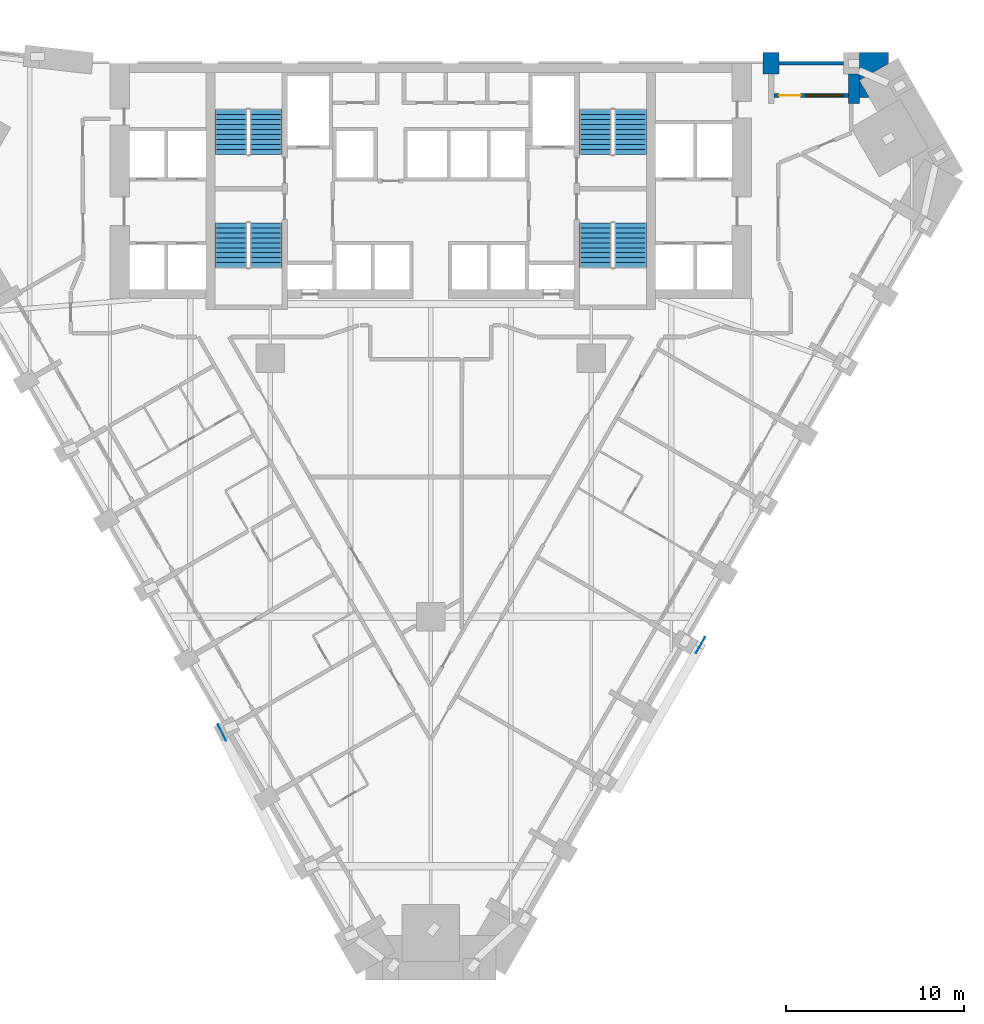
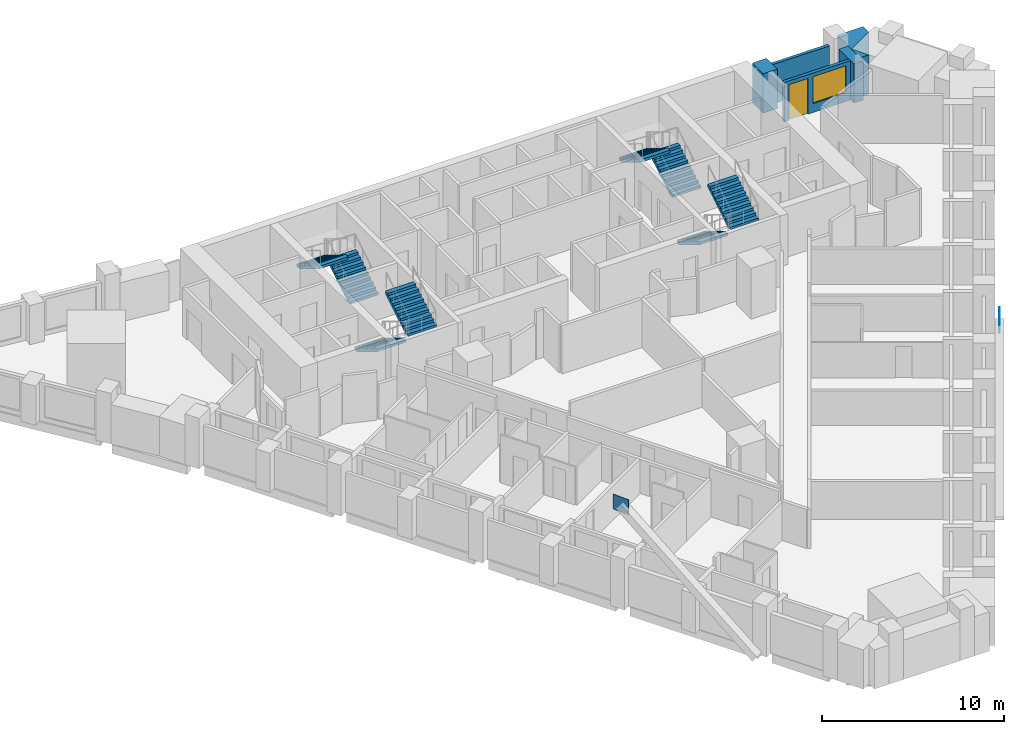
# One storey, part 10 of 11: 8 stair flights, 5 walls, 2 discrete accessories, 1 door, 1 window, 2 openings, 4 elements without a shape of their own.
"""IFC4 building model written with IfcOpenShell, lengths in metres."""

from ifc_helpers import new_model, si_unit, direction, frame, frame_2d, origin, origin_2d, place, context, subcontext, project, spatial, polyline, rectangle, outline, extrude, faceted_brep, source, transform, mapped, material, layer, layer_set, type_object, element, fill, aggregate, save


model = new_model("IFC4")

# Units and contexts
model_context = context("Model", 3, precision=1e-05, world=origin(), true_north=direction((0.0, 1.0)))
body_context = subcontext(model_context, "Body", "Model", "MODEL_VIEW")
ifc_project = project(units=[si_unit("LENGTHUNIT", "METRE"), si_unit("AREAUNIT", "SQUARE_METRE"), si_unit("VOLUMEUNIT", "CUBIC_METRE"), si_unit("PLANEANGLEUNIT", "RADIAN"), si_unit("MASSUNIT", "GRAM", prefix="KILO")], contexts=[model_context])

# Site, building, storey
site_placement = place(None, origin())
site = spatial("IfcSite", under=ifc_project, at=site_placement, CompositionType="ELEMENT")
building_placement = place(site_placement, origin())
building = spatial("IfcBuilding", under=site, at=building_placement, Name="Calabash Gate Tower", CompositionType="ELEMENT")
storey_placement = place(building_placement, frame((0.0, 0.0, 52.800048828125)))
storey = spatial("IfcBuildingStorey", under=building, at=storey_placement, Name="L08", CompositionType="ELEMENT", Elevation=52.800048828125)

# Walls
ifc_material_1 = material(Name="Terracotta brick masonry, exposed face", Category="masonry")
ifc_layer_1 = layer(ifc_material_1, 2.5)
ifc_layer_set_1 = layer_set([ifc_layer_1], Name="Brick corner mass wall 2500")
wall_type_1 = type_object("IfcWallType", Name="Brick corner mass wall 2500", PredefinedType="SOLIDWALL", material=ifc_layer_set_1)
wall_1_placement = place(storey_placement, origin())
element("IfcWall", 1, at=wall_1_placement, inside=storey, type_object=wall_type_1, Name="Brick corner pier S01 3c", PredefinedType="SOLIDWALL", context=body_context, shape_type="SweptSolid", body=[
    extrude(outline(polyline([(24.050048828125, 19.652587890625), (24.050048828125, 17.152587890625), (24.60302734375, 17.152587890625), (24.054443359375, 18.1025390625), (25.699951171875, 19.052490234375), (25.699951171875, 19.652587890625), (24.050048828125, 19.652587890625)])), origin(), (0.0, 0.0, 1.0), 2.6298828125),
])
ifc_material_2 = material(Name="Terracotta brick masonry, exposed face", Category="masonry")
ifc_layer_2 = layer(ifc_material_2, 1.199951171875)
ifc_layer_set_2 = layer_set([ifc_layer_2], Name="Brick end wall 1200")
wall_type_2 = type_object("IfcWallType", Name="Brick end wall 1200", PredefinedType="SOLIDWALL", material=ifc_layer_set_2)
wall_2_placement = place(storey_placement, origin())
element("IfcWall", 2, at=wall_2_placement, inside=storey, type_object=wall_type_2, Name="Brick pier S01 N4.1", PredefinedType="SOLIDWALL", context=body_context, shape_type="SweptSolid", body=[
    extrude(outline(polyline([(19.550048828125, 19.652587890625), (18.64990234375, 19.652587890625), (18.64990234375, 18.45263671875), (19.550048828125, 18.45263671875), (19.550048828125, 19.652587890625)])), origin(), (0.0, 0.0, 1.0), 2.64990234375),
])
ifc_material_3 = material(Name="Terracotta brick masonry, exposed face", Category="masonry")
ifc_layer_3 = layer(ifc_material_3, 0.300048828125)
ifc_layer_set_3 = layer_set([ifc_layer_3], Name="Brick loggia cheek wall 300")
wall_type_3 = type_object("IfcWallType", Name="Brick loggia cheek wall 300", PredefinedType="SOLIDWALL", material=ifc_layer_set_3)
wall_3_placement = place(storey_placement, origin())
element("IfcWall", 3, at=wall_3_placement, inside=storey, type_object=wall_type_3, Name="Loggia cheek S01 N4.0", PredefinedType="SOLIDWALL", context=body_context, shape_type="SweptSolid", body=[
    extrude(outline(polyline([(24.050048828125, 16.802490234375), (24.050048828125, 18.45263671875), (23.449951171875, 18.45263671875), (23.449951171875, 16.802490234375), (24.050048828125, 16.802490234375)])), origin(), (0.0, 0.0, 1.0), 2.6298828125),
])
ifc_material_4 = material(Name="Terracotta brick masonry, perforated", Category="masonry")
ifc_layer_4 = layer(ifc_material_4, 0.199951171875)
ifc_layer_set_4 = layer_set([ifc_layer_4], Name="Terracotta jaali screen A")
wall_type_4 = type_object("IfcWallType", Name="Terracotta jaali screen A", PredefinedType="SOLIDWALL", material=ifc_layer_set_4)
wall_4_placement = place(storey_placement, frame((23.14990234375, 19.052490234375, 0.0), z_axis=(0.0, 0.0, 1.0), x_axis=(-1.0, 0.0, 0.0)))
element("IfcWall", 4, at=wall_4_placement, inside=storey, type_object=wall_type_4, Name="SCREEN A S01 N4.1", PredefinedType="SOLIDWALL", context=body_context, shape_type="SweptSolid", body=[
    extrude(rectangle(XDim=3.599853515625, YDim=0.199951171875, at=frame_2d((1.7998046875, 0.0))), origin(), (0.0, 0.0, 1.0), 2.64990234375),
])

# Wall, openings, door, window
ifc_material_5 = material(Name="Aluminium framed window wall with insulated spandrel", Category="aluminium")
ifc_layer_5 = layer(ifc_material_5, 0.199951171875)
ifc_layer_set_5 = layer_set([ifc_layer_5], Name="Window wall 200")
wall_type_5 = type_object("IfcWallType", Name="Window wall 200", PredefinedType="ELEMENTEDWALL", material=ifc_layer_set_5)
wall_5_placement = place(storey_placement, frame((23.449951171875, 17.25244140625, 0.0), z_axis=(0.0, 0.0, 1.0), x_axis=(-1.0, 0.0, 0.0)))
wall_5 = element("IfcWall", 5, at=wall_5_placement, inside=storey, type_object=wall_type_5, Name="Window wall S01 N4.1", PredefinedType="ELEMENTEDWALL", context=body_context, shape_type="SweptSolid", body=[
    extrude(rectangle(XDim=4.199951171875, YDim=0.199951171875, at=frame_2d((2.10009765625, 0.0))), origin(), (0.0, 0.0, 1.0), 2.64990234375),
])
opening_1_placement = place(wall_5_placement, frame((0.300048828125, 0.0, 0.60009765625)))
opening_1 = element("IfcOpeningElement", 6, at=opening_1_placement, cuts=wall_5, Name="Opening HW1", PredefinedType="OPENING", context=body_context, shape_type="SweptSolid", body=[
    extrude(rectangle(XDim=2.10009765625, YDim=1.800048828125, at=frame_2d((1.050048828125, 0.89990234375))), frame((0.0, 0.10986328125, 0.0), z_axis=(0.0, -1.0, 0.0), x_axis=(1.0, 0.0, 0.0)), (0.0, 0.0, 1.0), 0.219970703125),
])
opening_2_placement = place(wall_5_placement, frame((2.699951171875, 0.0, 0.0)))
opening_2 = element("IfcOpeningElement", 7, at=opening_2_placement, cuts=wall_5, Name="Opening H1-018", PredefinedType="OPENING", context=body_context, shape_type="SweptSolid", body=[
    extrude(rectangle(XDim=1.199951171875, YDim=2.39990234375, at=frame_2d((0.60009765625, 1.199951171875))), frame((0.0, 0.10986328125, 0.0), z_axis=(0.0, -1.0, 0.0), x_axis=(1.0, 0.0, 0.0)), (0.0, 0.0, 1.0), 0.219970703125),
])
ifc_material_6 = material(Name="Anodised aluminium frame, bronze finish, impact-rated laminated clear glazing", Category="aluminium")
door_type = type_object("IfcDoorType", Name="Loggia door DH1 1200x2400", OperationType="SLIDING_TO_LEFT", PredefinedType="DOOR", material=ifc_material_6)
door_placement = place(opening_2_placement, origin())
door = element("IfcDoor", 8, at=door_placement, inside=storey, type_object=door_type, Name="Loggia door S01 N4.1", OperationType="SINGLE_SWING_LEFT", OverallHeight=2.39990234375, OverallWidth=1.199951171875, PredefinedType="DOOR", context=body_context, shape_type="SweptSolid", body=[
    extrude(rectangle(XDim=1.199951171875, YDim=2.39990234375, at=frame_2d((0.60009765625, 1.199951171875))), frame((0.0, 0.02490234375, 0.0), z_axis=(0.0, -1.0, 0.0), x_axis=(1.0, 0.0, 0.0)), (0.0, 0.0, 1.0), 0.050048828125),
])
fill(opening_2, door)
ifc_material_7 = material(Name="Anodised aluminium frame, bronze finish, impact-rated laminated clear glazing", Category="aluminium")
window_type = type_object("IfcWindowType", Name="Window HW1 2100x1800", PartitioningType="DOUBLE_PANEL_VERTICAL", PredefinedType="WINDOW", material=ifc_material_7)
window_placement = place(opening_1_placement, origin())
window = element("IfcWindow", 9, at=window_placement, inside=storey, type_object=window_type, Name="Window HW1 S01 N4.1", OverallHeight=1.800048828125, OverallWidth=2.10009765625, PartitioningType="SINGLE_PANEL", PredefinedType="WINDOW", context=body_context, shape_type="SweptSolid", body=[
    extrude(rectangle(XDim=2.10009765625, YDim=1.800048828125, at=frame_2d((1.050048828125, 0.89990234375))), frame((0.0, 0.030029296875, 0.0), z_axis=(0.0, -1.0, 0.0), x_axis=(1.0, 0.0, 0.0)), (0.0, 0.0, 1.0), 0.06005859375),
])
fill(opening_1, window)

# Stair, stair flights
ifc_material_8 = material(Name="Concrete C40/50", Category="concrete")
stair_type = type_object("IfcStairType", Name="Exit stair 20 risers of 170 mm", PredefinedType="HALF_TURN_STAIR", material=ifc_material_8)
stair_1_placement = place(storey_placement, origin())
stair_1 = element("IfcStair", 10, at=stair_1_placement, inside=storey, type_object=stair_type, Name="L08 Exit stair ST1", PredefinedType="HALF_TURN_STAIR")
ifc_material_9 = material(Name="Concrete C40/50", Category="concrete")
stair_flight_type = type_object("IfcStairFlightType", Name="Exit stair flight SFL", PredefinedType="STRAIGHT", material=ifc_material_9)
shared_shape = source(origin(), body_context, "Body", "Brep", [
    faceted_brep([(-0.0009765625, -0.89990234375, 0.0), (0.2880859375, -0.89990234375, 0.0), (2.511962890625, -0.89990234375, 1.3544921875), (-0.0009765625, 0.89990234375, 0.0), (2.511962890625, 0.89990234375, 1.3544921875), (0.2880859375, 0.89990234375, 0.0), (2.511962890625, -0.89990234375, 1.5419921875), (2.510986328125, -0.89990234375, 1.5419921875), (2.510986328125, 0.89990234375, 1.5419921875), (2.511962890625, 0.89990234375, 1.5419921875), (2.510986328125, -0.89990234375, 1.530029296875), (2.510986328125, 0.89990234375, 1.530029296875), (2.23193359375, -0.89990234375, 1.530029296875), (2.23193359375, 0.89990234375, 1.530029296875), (2.23193359375, -0.89990234375, 1.360107421875), (2.23193359375, 0.89990234375, 1.360107421875), (1.952880859375, -0.89990234375, 1.360107421875), (1.952880859375, 0.89990234375, 1.360107421875), (1.952880859375, -0.89990234375, 1.18994140625), (1.952880859375, 0.89990234375, 1.18994140625), (1.674072265625, -0.89990234375, 1.18994140625), (1.674072265625, -0.89990234375, 1.02001953125), (1.674072265625, 0.89990234375, 1.02001953125), (1.674072265625, 0.89990234375, 1.18994140625), (1.39501953125, -0.89990234375, 1.02001953125), (1.39501953125, -0.89990234375, 0.85009765625), (1.39501953125, 0.89990234375, 0.85009765625), (1.39501953125, 0.89990234375, 1.02001953125), (1.115966796875, -0.89990234375, 0.85009765625), (1.115966796875, -0.89990234375, 0.679931640625), (1.115966796875, 0.89990234375, 0.679931640625), (1.115966796875, 0.89990234375, 0.85009765625), (0.8369140625, -0.89990234375, 0.679931640625), (0.8369140625, -0.89990234375, 0.510009765625), (0.8369140625, 0.89990234375, 0.510009765625), (0.8369140625, 0.89990234375, 0.679931640625), (0.55810546875, -0.89990234375, 0.510009765625), (0.55810546875, -0.89990234375, 0.340087890625), (0.55810546875, 0.89990234375, 0.340087890625), (0.55810546875, 0.89990234375, 0.510009765625), (0.279052734375, -0.89990234375, 0.340087890625), (0.279052734375, -0.89990234375, 0.169921875), (0.279052734375, 0.89990234375, 0.169921875), (0.279052734375, 0.89990234375, 0.340087890625), (-0.0009765625, -0.89990234375, 0.169921875), (-0.0009765625, 0.89990234375, 0.169921875), (0.2880859375, -0.360107421875, 0.0), (2.511962890625, -0.360107421875, 1.3544921875), (0.2880859375, -0.179931640625, 0.0), (2.511962890625, -0.179931640625, 1.3544921875), (0.2880859375, 0.0, 0.0), (2.511962890625, 0.0, 1.3544921875), (0.2880859375, 0.179931640625, 0.0), (2.511962890625, 0.179931640625, 1.3544921875), (0.2880859375, 0.360107421875, 0.0), (2.511962890625, 0.360107421875, 1.3544921875), (2.511962890625, -0.360107421875, 1.5419921875), (2.511962890625, -0.179931640625, 1.5419921875), (2.511962890625, 0.0, 1.5419921875), (2.511962890625, 0.179931640625, 1.5419921875), (2.511962890625, 0.360107421875, 1.5419921875), (2.510986328125, -0.360107421875, 1.5419921875), (2.510986328125, -0.179931640625, 1.5419921875), (2.510986328125, 0.0, 1.5419921875), (2.510986328125, 0.179931640625, 1.5419921875), (2.510986328125, 0.360107421875, 1.5419921875), (2.510986328125, -0.360107421875, 1.530029296875), (2.510986328125, -0.179931640625, 1.530029296875), (2.510986328125, 0.0, 1.530029296875), (2.510986328125, 0.179931640625, 1.530029296875), (2.510986328125, 0.360107421875, 1.530029296875), (2.23193359375, -0.360107421875, 1.530029296875), (2.23193359375, -0.179931640625, 1.530029296875), (2.23193359375, 0.0, 1.530029296875), (2.23193359375, 0.179931640625, 1.530029296875), (2.23193359375, 0.360107421875, 1.530029296875), (2.23193359375, -0.360107421875, 1.360107421875), (2.23193359375, -0.179931640625, 1.360107421875), (2.23193359375, 0.0, 1.360107421875), (2.23193359375, 0.179931640625, 1.360107421875), (2.23193359375, 0.360107421875, 1.360107421875), (1.952880859375, -0.360107421875, 1.360107421875), (1.952880859375, -0.179931640625, 1.360107421875), (1.952880859375, 0.0, 1.360107421875), (1.952880859375, 0.179931640625, 1.360107421875), (1.952880859375, 0.360107421875, 1.360107421875), (1.952880859375, -0.360107421875, 1.18994140625), (1.952880859375, -0.179931640625, 1.18994140625), (1.952880859375, 0.0, 1.18994140625), (1.952880859375, 0.179931640625, 1.18994140625), (1.952880859375, 0.360107421875, 1.18994140625), (1.674072265625, -0.360107421875, 1.18994140625), (1.674072265625, -0.179931640625, 1.18994140625), (1.674072265625, 0.0, 1.18994140625), (1.674072265625, 0.179931640625, 1.18994140625), (1.674072265625, 0.360107421875, 1.18994140625), (1.674072265625, -0.360107421875, 1.02001953125), (1.674072265625, -0.179931640625, 1.02001953125), (1.674072265625, 0.0, 1.02001953125), (1.674072265625, 0.179931640625, 1.02001953125), (1.674072265625, 0.360107421875, 1.02001953125), (1.39501953125, -0.360107421875, 1.02001953125), (1.39501953125, -0.179931640625, 1.02001953125), (1.39501953125, 0.0, 1.02001953125), (1.39501953125, 0.179931640625, 1.02001953125), (1.39501953125, 0.360107421875, 1.02001953125), (1.39501953125, -0.360107421875, 0.85009765625), (1.39501953125, -0.179931640625, 0.85009765625), (1.39501953125, 0.0, 0.85009765625), (1.39501953125, 0.179931640625, 0.85009765625), (1.39501953125, 0.360107421875, 0.85009765625), (1.115966796875, -0.360107421875, 0.85009765625), (1.115966796875, -0.179931640625, 0.85009765625), (1.115966796875, 0.0, 0.85009765625), (1.115966796875, 0.179931640625, 0.85009765625), (1.115966796875, 0.360107421875, 0.85009765625), (1.115966796875, -0.360107421875, 0.679931640625), (1.115966796875, -0.179931640625, 0.679931640625), (1.115966796875, 0.0, 0.679931640625), (1.115966796875, 0.179931640625, 0.679931640625), (1.115966796875, 0.360107421875, 0.679931640625), (0.8369140625, -0.360107421875, 0.679931640625), (0.8369140625, -0.179931640625, 0.679931640625), (0.8369140625, 0.0, 0.679931640625), (0.8369140625, 0.179931640625, 0.679931640625), (0.8369140625, 0.360107421875, 0.679931640625), (0.8369140625, -0.360107421875, 0.510009765625), (0.8369140625, -0.179931640625, 0.510009765625), (0.8369140625, 0.0, 0.510009765625), (0.8369140625, 0.179931640625, 0.510009765625), (0.8369140625, 0.360107421875, 0.510009765625), (0.55810546875, -0.360107421875, 0.510009765625), (0.55810546875, -0.179931640625, 0.510009765625), (0.55810546875, 0.0, 0.510009765625), (0.55810546875, 0.179931640625, 0.510009765625), (0.55810546875, 0.360107421875, 0.510009765625), (0.55810546875, -0.360107421875, 0.340087890625), (0.55810546875, -0.179931640625, 0.340087890625), (0.55810546875, 0.0, 0.340087890625), (0.55810546875, 0.179931640625, 0.340087890625), (0.55810546875, 0.360107421875, 0.340087890625), (0.279052734375, -0.360107421875, 0.340087890625), (0.279052734375, -0.179931640625, 0.340087890625), (0.279052734375, 0.0, 0.340087890625), (0.279052734375, 0.179931640625, 0.340087890625), (0.279052734375, 0.360107421875, 0.340087890625), (0.279052734375, -0.360107421875, 0.169921875), (0.279052734375, -0.179931640625, 0.169921875), (0.279052734375, 0.0, 0.169921875), (0.279052734375, 0.179931640625, 0.169921875), (0.279052734375, 0.360107421875, 0.169921875), (-0.0009765625, -0.360107421875, 0.169921875), (-0.0009765625, -0.179931640625, 0.169921875), (-0.0009765625, 0.0, 0.169921875), (-0.0009765625, 0.179931640625, 0.169921875), (-0.0009765625, 0.360107421875, 0.169921875), (-0.0009765625, -0.360107421875, 0.0), (-0.0009765625, -0.179931640625, 0.0), (-0.0009765625, 0.0, 0.0), (-0.0009765625, 0.179931640625, 0.0), (-0.0009765625, 0.360107421875, 0.0)], [[[0, 1, 2]], [[3, 4, 5]], [[2, 6, 7]], [[4, 8, 9]], [[2, 7, 10]], [[4, 11, 8]], [[2, 10, 12]], [[4, 13, 11]], [[2, 12, 14]], [[4, 15, 13]], [[2, 14, 16]], [[4, 17, 15]], [[2, 16, 18]], [[4, 19, 17]], [[18, 20, 21]], [[19, 22, 23]], [[2, 18, 21]], [[4, 22, 19]], [[21, 24, 25]], [[22, 26, 27]], [[2, 21, 25]], [[4, 26, 22]], [[25, 28, 29]], [[26, 30, 31]], [[2, 25, 29]], [[4, 30, 26]], [[29, 32, 33]], [[30, 34, 35]], [[2, 29, 33]], [[4, 34, 30]], [[33, 36, 37]], [[34, 38, 39]], [[2, 33, 37]], [[4, 38, 34]], [[37, 40, 41]], [[38, 42, 43]], [[2, 37, 41]], [[4, 42, 38]], [[0, 2, 41]], [[3, 42, 4]], [[41, 44, 0]], [[42, 3, 45]], [[1, 46, 2]], [[46, 47, 2]], [[46, 48, 47]], [[48, 49, 47]], [[48, 50, 49]], [[50, 51, 49]], [[50, 52, 53]], [[50, 53, 51]], [[52, 54, 55]], [[52, 55, 53]], [[54, 5, 4]], [[54, 4, 55]], [[2, 47, 6]], [[47, 56, 6]], [[47, 49, 56]], [[49, 57, 56]], [[49, 51, 57]], [[51, 58, 57]], [[51, 53, 59]], [[51, 59, 58]], [[53, 55, 60]], [[53, 60, 59]], [[55, 4, 9]], [[55, 9, 60]], [[6, 56, 7]], [[56, 61, 7]], [[56, 57, 61]], [[57, 62, 61]], [[57, 58, 62]], [[58, 63, 62]], [[58, 59, 64]], [[58, 64, 63]], [[59, 60, 65]], [[59, 65, 64]], [[60, 9, 8]], [[60, 8, 65]], [[7, 61, 10]], [[61, 66, 10]], [[61, 62, 66]], [[62, 67, 66]], [[62, 63, 67]], [[63, 68, 67]], [[63, 64, 69]], [[63, 69, 68]], [[64, 65, 70]], [[64, 70, 69]], [[65, 8, 11]], [[65, 11, 70]], [[10, 66, 12]], [[66, 71, 12]], [[66, 67, 71]], [[67, 72, 71]], [[67, 68, 72]], [[68, 73, 72]], [[68, 69, 74]], [[68, 74, 73]], [[69, 70, 75]], [[69, 75, 74]], [[70, 11, 13]], [[70, 13, 75]], [[12, 71, 14]], [[71, 76, 14]], [[71, 72, 76]], [[72, 77, 76]], [[72, 73, 77]], [[73, 78, 77]], [[73, 74, 79]], [[73, 79, 78]], [[74, 75, 80]], [[74, 80, 79]], [[75, 13, 15]], [[75, 15, 80]], [[14, 76, 16]], [[76, 81, 16]], [[76, 77, 81]], [[77, 82, 81]], [[77, 78, 82]], [[78, 83, 82]], [[78, 79, 84]], [[78, 84, 83]], [[79, 80, 85]], [[79, 85, 84]], [[80, 15, 17]], [[80, 17, 85]], [[16, 81, 18]], [[81, 86, 18]], [[81, 82, 86]], [[82, 87, 86]], [[82, 83, 87]], [[83, 88, 87]], [[83, 84, 89]], [[83, 89, 88]], [[84, 85, 90]], [[84, 90, 89]], [[85, 17, 19]], [[85, 19, 90]], [[18, 86, 20]], [[86, 91, 20]], [[86, 87, 91]], [[87, 92, 91]], [[87, 88, 92]], [[88, 93, 92]], [[88, 89, 94]], [[88, 94, 93]], [[89, 90, 95]], [[89, 95, 94]], [[90, 19, 23]], [[90, 23, 95]], [[20, 91, 21]], [[91, 96, 21]], [[91, 92, 96]], [[92, 97, 96]], [[92, 93, 97]], [[93, 98, 97]], [[93, 94, 99]], [[93, 99, 98]], [[94, 95, 100]], [[94, 100, 99]], [[95, 23, 22]], [[95, 22, 100]], [[21, 96, 24]], [[96, 101, 24]], [[96, 97, 101]], [[97, 102, 101]], [[97, 98, 102]], [[98, 103, 102]], [[98, 99, 104]], [[98, 104, 103]], [[99, 100, 105]], [[99, 105, 104]], [[100, 22, 27]], [[100, 27, 105]], [[24, 101, 25]], [[101, 106, 25]], [[101, 102, 106]], [[102, 107, 106]], [[102, 103, 107]], [[103, 108, 107]], [[103, 104, 109]], [[103, 109, 108]], [[104, 105, 110]], [[104, 110, 109]], [[105, 27, 26]], [[105, 26, 110]], [[25, 106, 28]], [[106, 111, 28]], [[106, 107, 111]], [[107, 112, 111]], [[107, 108, 112]], [[108, 113, 112]], [[108, 109, 114]], [[108, 114, 113]], [[109, 110, 115]], [[109, 115, 114]], [[110, 26, 31]], [[110, 31, 115]], [[28, 111, 29]], [[111, 116, 29]], [[111, 112, 116]], [[112, 117, 116]], [[112, 113, 117]], [[113, 118, 117]], [[113, 114, 119]], [[113, 119, 118]], [[114, 115, 120]], [[114, 120, 119]], [[115, 31, 30]], [[115, 30, 120]], [[29, 116, 32]], [[116, 121, 32]], [[116, 117, 121]], [[117, 122, 121]], [[117, 118, 122]], [[118, 123, 122]], [[118, 119, 124]], [[118, 124, 123]], [[119, 120, 125]], [[119, 125, 124]], [[120, 30, 35]], [[120, 35, 125]], [[32, 121, 33]], [[121, 126, 33]], [[121, 122, 126]], [[122, 127, 126]], [[122, 123, 127]], [[123, 128, 127]], [[123, 124, 129]], [[123, 129, 128]], [[124, 125, 130]], [[124, 130, 129]], [[125, 35, 34]], [[125, 34, 130]], [[33, 126, 36]], [[126, 131, 36]], [[126, 127, 131]], [[127, 132, 131]], [[127, 128, 132]], [[128, 133, 132]], [[128, 129, 134]], [[128, 134, 133]], [[129, 130, 135]], [[129, 135, 134]], [[130, 34, 39]], [[130, 39, 135]], [[36, 131, 37]], [[131, 136, 37]], [[131, 132, 136]], [[132, 137, 136]], [[132, 133, 137]], [[133, 138, 137]], [[133, 134, 139]], [[133, 139, 138]], [[134, 135, 140]], [[134, 140, 139]], [[135, 39, 38]], [[135, 38, 140]], [[37, 136, 40]], [[136, 141, 40]], [[136, 137, 141]], [[137, 142, 141]], [[137, 138, 142]], [[138, 143, 142]], [[138, 139, 144]], [[138, 144, 143]], [[139, 140, 145]], [[139, 145, 144]], [[140, 38, 43]], [[140, 43, 145]], [[40, 141, 41]], [[141, 146, 41]], [[141, 142, 146]], [[142, 147, 146]], [[142, 143, 147]], [[143, 148, 147]], [[143, 144, 149]], [[143, 149, 148]], [[144, 145, 150]], [[144, 150, 149]], [[145, 43, 42]], [[145, 42, 150]], [[41, 146, 44]], [[146, 151, 44]], [[146, 147, 151]], [[147, 152, 151]], [[147, 148, 152]], [[148, 153, 152]], [[148, 149, 154]], [[148, 154, 153]], [[149, 150, 155]], [[149, 155, 154]], [[150, 42, 45]], [[150, 45, 155]], [[44, 151, 0]], [[151, 156, 0]], [[151, 152, 156]], [[152, 157, 156]], [[152, 153, 157]], [[153, 158, 157]], [[153, 154, 159]], [[153, 159, 158]], [[154, 155, 160]], [[154, 160, 159]], [[155, 45, 3]], [[155, 3, 160]], [[0, 156, 1]], [[156, 46, 1]], [[156, 157, 46]], [[157, 48, 46]], [[157, 158, 48]], [[158, 50, 48]], [[158, 159, 52]], [[158, 52, 50]], [[159, 160, 54]], [[159, 54, 52]], [[160, 3, 5]], [[160, 5, 54]]]),
])
stair_flight_1_placement = place(storey_placement, frame((-9.25, 13.95263671875, 0.0), z_axis=(0.0, 0.0, 1.0), x_axis=(0.0, 1.0, 0.0)))
stair_flight_1 = element("IfcStairFlight", 11, at=stair_flight_1_placement, type_object=stair_flight_type, Name="ST1 flight 1", NumberOfRisers=10, NumberOfTreads=9, PredefinedType="STRAIGHT", RiserHeight=0.17, TreadLength=0.279, context=body_context, shape_type="MappedRepresentation", body=[
    mapped(shared_shape, transform((0.0, 0.0, 0.0), scale=1.0)),
])
stair_flight_2_placement = place(storey_placement, frame((-11.199951171875, 16.463623046875, 1.699951171875), z_axis=(0.0, 0.0, 1.0), x_axis=(0.0, -1.0, 0.0)))
stair_flight_2 = element("IfcStairFlight", 12, at=stair_flight_2_placement, type_object=stair_flight_type, Name="ST1 flight 2", NumberOfRisers=10, NumberOfTreads=9, PredefinedType="STRAIGHT", RiserHeight=0.17, TreadLength=0.279, context=body_context, shape_type="MappedRepresentation", body=[
    mapped(shared_shape, transform((0.0, 0.0, 0.0), scale=1.0)),
])
aggregate(stair_1, [stair_flight_1, stair_flight_2])

stair_2_placement = place(storey_placement, origin())
stair_2 = element("IfcStair", 13, at=stair_2_placement, inside=storey, type_object=stair_type, Name="L08 Exit stair ST2", PredefinedType="HALF_TURN_STAIR")
stair_flight_3_placement = place(storey_placement, frame((-11.199951171875, 10.1025390625, 0.0), z_axis=(0.0, 0.0, 1.0), x_axis=(0.0, -1.0, 0.0)))
stair_flight_3 = element("IfcStairFlight", 14, at=stair_flight_3_placement, type_object=stair_flight_type, Name="ST2 flight 1", NumberOfRisers=10, NumberOfTreads=9, PredefinedType="STRAIGHT", RiserHeight=0.17, TreadLength=0.279, context=body_context, shape_type="MappedRepresentation", body=[
    mapped(shared_shape, transform((0.0, 0.0, 0.0), scale=1.0)),
])
stair_flight_4_placement = place(storey_placement, frame((-9.25, 7.591552734375, 1.699951171875), z_axis=(0.0, 0.0, 1.0), x_axis=(0.0, 1.0, 0.0)))
stair_flight_4 = element("IfcStairFlight", 15, at=stair_flight_4_placement, type_object=stair_flight_type, Name="ST2 flight 2", NumberOfRisers=10, NumberOfTreads=9, PredefinedType="STRAIGHT", RiserHeight=0.17, TreadLength=0.279, context=body_context, shape_type="MappedRepresentation", body=[
    mapped(shared_shape, transform((0.0, 0.0, 0.0), scale=1.0)),
])
aggregate(stair_2, [stair_flight_3, stair_flight_4])

stair_3_placement = place(storey_placement, origin())
stair_3 = element("IfcStair", 16, at=stair_3_placement, inside=storey, type_object=stair_type, Name="L08 Exit stair ST3", PredefinedType="HALF_TURN_STAIR")
stair_flight_5_placement = place(storey_placement, frame((11.199951171875, 13.95263671875, 0.0), z_axis=(0.0, 0.0, 1.0), x_axis=(0.0, 1.0, 0.0)))
stair_flight_5 = element("IfcStairFlight", 17, at=stair_flight_5_placement, type_object=stair_flight_type, Name="ST3 flight 1", NumberOfRisers=10, NumberOfTreads=9, PredefinedType="STRAIGHT", RiserHeight=0.17, TreadLength=0.279, context=body_context, shape_type="MappedRepresentation", body=[
    mapped(shared_shape, transform((0.0, 0.0, 0.0), scale=1.0)),
])
stair_flight_6_placement = place(storey_placement, frame((9.25, 16.463623046875, 1.699951171875), z_axis=(0.0, 0.0, 1.0), x_axis=(0.0, -1.0, 0.0)))
stair_flight_6 = element("IfcStairFlight", 18, at=stair_flight_6_placement, type_object=stair_flight_type, Name="ST3 flight 2", NumberOfRisers=10, NumberOfTreads=9, PredefinedType="STRAIGHT", RiserHeight=0.17, TreadLength=0.279, context=body_context, shape_type="MappedRepresentation", body=[
    mapped(shared_shape, transform((0.0, 0.0, 0.0), scale=1.0)),
])
aggregate(stair_3, [stair_flight_5, stair_flight_6])

stair_4_placement = place(storey_placement, origin())
stair_4 = element("IfcStair", 19, at=stair_4_placement, inside=storey, type_object=stair_type, Name="L08 Exit stair ST4", PredefinedType="HALF_TURN_STAIR")
stair_flight_7_placement = place(storey_placement, frame((9.25, 10.1025390625, 0.0), z_axis=(0.0, 0.0, 1.0), x_axis=(0.0, -1.0, 0.0)))
stair_flight_7 = element("IfcStairFlight", 20, at=stair_flight_7_placement, type_object=stair_flight_type, Name="ST4 flight 1", NumberOfRisers=10, NumberOfTreads=9, PredefinedType="STRAIGHT", RiserHeight=0.17, TreadLength=0.279, context=body_context, shape_type="MappedRepresentation", body=[
    mapped(shared_shape, transform((0.0, 0.0, 0.0), scale=1.0)),
])
stair_flight_8_placement = place(storey_placement, frame((11.199951171875, 7.591552734375, 1.699951171875), z_axis=(0.0, 0.0, 1.0), x_axis=(0.0, 1.0, 0.0)))
stair_flight_8 = element("IfcStairFlight", 21, at=stair_flight_8_placement, type_object=stair_flight_type, Name="ST4 flight 2", NumberOfRisers=10, NumberOfTreads=9, PredefinedType="STRAIGHT", RiserHeight=0.17, TreadLength=0.279, context=body_context, shape_type="MappedRepresentation", body=[
    mapped(shared_shape, transform((0.0, 0.0, 0.0), scale=1.0)),
])
aggregate(stair_4, [stair_flight_7, stair_flight_8])

# Discrete accessories
ifc_material_10 = material(Name="Steel ASTM A572 Gr50", Category="steel")
discrete_accessory_type = type_object("IfcDiscreteAccessoryType", Name="Connection plate 25", PredefinedType="BRACKET", material=ifc_material_10)
for number, where, z_axis, x_axis, name in (
    (22, (-11.709228515625, -18.49853515625, 6.293701171875), (0.0, 0.0, 1.0), (-0.44916383314, 0.89344941155, 0.0), "Connection plate Mega-brace SW Z1 2 end"),
    (23, (15.138671875, -13.592041015625, 6.293701171875), (0.0, 0.0, 1.0), (0.5, 0.866025403784, 0.0), "Connection plate Mega-brace SE Z1 7 end"),
):
    element("IfcDiscreteAccessory", number, at=place(storey_placement, frame(where, z_axis=z_axis, x_axis=x_axis)), inside=storey, type_object=discrete_accessory_type, Name=name, PredefinedType="BRACKET", context=body_context, shape_type="SweptSolid", body=[
        extrude(rectangle(XDim=1.0126953125, YDim=0.02490234375, at=origin_2d()), origin(), (0.0, 0.0, 1.0), 1.0126953125),
    ])

save(model, "model.ifc")
